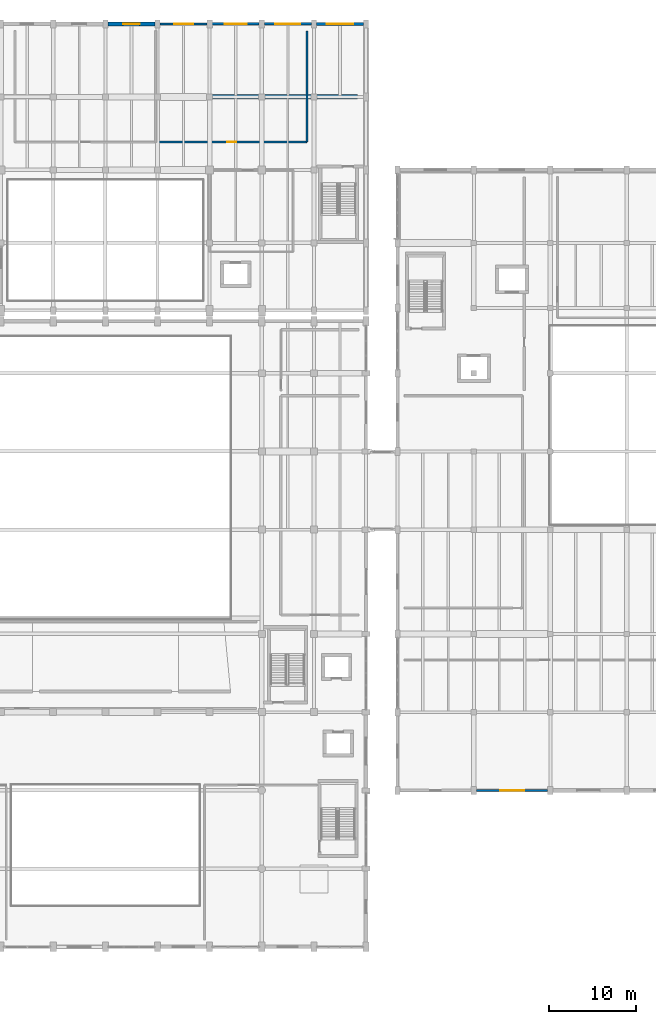
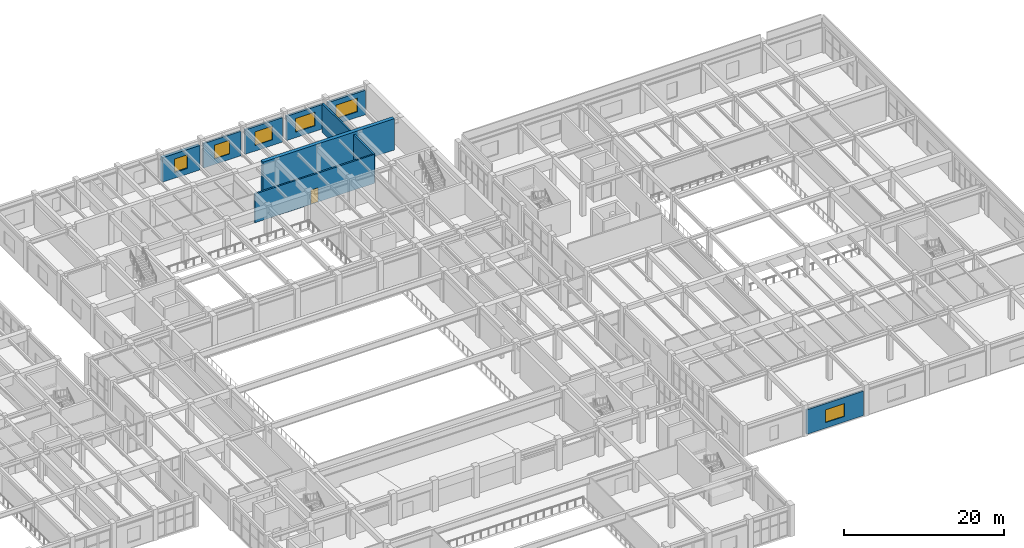
# One storey, part 74 of 96: 9 walls, 6 windows, 1 door, 7 openings.
"""IFC4 building model written with IfcOpenShell, lengths in metres."""

from ifc_helpers import new_model, si_unit, direction, frame, frame_2d, origin, place, context, subcontext, project, spatial, rectangle, extrude, material, layer, layer_set, type_object, element, fill, save


model = new_model("IFC4")

# Units and contexts
model_context = context("Model", 3, precision=1e-05, world=origin(), true_north=direction((0.0, 1.0)))
body_context = subcontext(model_context, "Body", "Model", "MODEL_VIEW")
ifc_project = project(units=[si_unit("LENGTHUNIT", "METRE"), si_unit("AREAUNIT", "SQUARE_METRE"), si_unit("VOLUMEUNIT", "CUBIC_METRE"), si_unit("PLANEANGLEUNIT", "RADIAN"), si_unit("MASSUNIT", "GRAM", prefix="KILO")], contexts=[model_context])

# Site, building, storey
site_placement = place(None, origin())
site = spatial("IfcSite", under=ifc_project, at=site_placement, CompositionType="ELEMENT")
building_placement = place(site_placement, origin())
building = spatial("IfcBuilding", under=site, at=building_placement, Name="Vaelkrest Opera House", CompositionType="ELEMENT")
storey_placement = place(building_placement, frame((0.0, 0.0, 5.39990234375)))
storey = spatial("IfcBuildingStorey", under=building, at=storey_placement, Name="L01", CompositionType="ELEMENT", Elevation=5.39990234375)

# Wall, opening, window
ifc_material_1 = material(Name="Douglas fir glulam GL28h", Category="wood")
ifc_layer_1 = layer(ifc_material_1, 0.2548828125)
ifc_layer_set_1 = layer_set([ifc_layer_1], Name="Douglas fir glulam GL28h")
wall_type_1 = type_object("IfcWallType", Name="EW01", PredefinedType="STANDARD", material=ifc_layer_set_1)
wall_1_placement = place(storey_placement, frame((50.902099609375, -37.800048828125, 0.0), z_axis=(0.0, 0.0, 1.0), x_axis=(-1.0, 0.0, 0.0)))
wall_1 = element("IfcWall", 1, at=wall_1_placement, inside=storey, type_object=wall_type_1, Name="Exterior facade wall EW-V4-L01-0231", PredefinedType="STANDARD", context=body_context, shape_type="SweptSolid", body=[
    extrude(rectangle(XDim=8.2041015625, YDim=0.2548828125, at=frame_2d((4.10205078125, 0.0))), origin(), (0.0, 0.0, 1.0), 3.7451171875),
])
opening_1_placement = place(wall_1_placement, frame((2.72705078125, 0.0, 0.85009765625)))
opening_1 = element("IfcOpeningElement", 2, at=opening_1_placement, cuts=wall_1, Name="Opening WN116", PredefinedType="OPENING", context=body_context, shape_type="SweptSolid", body=[
    extrude(rectangle(XDim=2.75, YDim=1.949951171875, at=frame_2d((1.375, 0.97509765625))), frame((0.0, 0.137451171875, 0.0), z_axis=(0.0, -1.0, 0.0), x_axis=(1.0, 0.0, 0.0)), (0.0, 0.0, 1.0), 0.27490234375),
])
ifc_material_2 = material(Name="Double low-E insulated glazing", Category="glass")
window_type_1 = type_object("IfcWindowType", Name="WT12", PartitioningType="SINGLE_PANEL", PredefinedType="WINDOW", material=ifc_material_2)
window_1_placement = place(opening_1_placement, origin())
window_1 = element("IfcWindow", 3, at=window_1_placement, inside=storey, type_object=window_type_1, Name="Facade window WN116", OverallHeight=1.949951171875, OverallWidth=2.75, PartitioningType="SINGLE_PANEL", PredefinedType="WINDOW", context=body_context, shape_type="SweptSolid", body=[
    extrude(rectangle(XDim=2.75, YDim=1.949951171875, at=frame_2d((1.375, 0.97509765625))), frame((0.0, 0.030029296875, 0.0), z_axis=(0.0, -1.0, 0.0), x_axis=(1.0, 0.0, 0.0)), (0.0, 0.0, 1.0), 0.06005859375),
])
fill(opening_1, window_1)

wall_2_placement = place(storey_placement, frame((6.298095703125, 50.39990234375, 0.0), z_axis=(0.0, 0.0, 1.0), x_axis=(1.0, 0.0, 0.0)))
wall_2 = element("IfcWall", 4, at=wall_2_placement, inside=storey, type_object=wall_type_1, Name="Exterior facade wall EW-V2-L01-0351", PredefinedType="STANDARD", context=body_context, shape_type="SweptSolid", body=[
    extrude(rectangle(XDim=5.40380859375, YDim=0.2548828125, at=frame_2d((2.701904296875, 0.0))), origin(), (0.0, 0.0, 1.0), 3.739990234375),
])
opening_2_placement = place(wall_2_placement, frame((1.60205078125, 0.0, 0.85009765625)))
opening_2 = element("IfcOpeningElement", 5, at=opening_2_placement, cuts=wall_2, Name="Opening WN225", PredefinedType="OPENING", context=body_context, shape_type="SweptSolid", body=[
    extrude(rectangle(XDim=2.199951171875, YDim=2.10009765625, at=frame_2d((1.10009765625, 1.050048828125))), frame((0.0, 0.137451171875, 0.0), z_axis=(0.0, -1.0, 0.0), x_axis=(1.0, 0.0, 0.0)), (0.0, 0.0, 1.0), 0.27490234375),
])
window_type_2 = type_object("IfcWindowType", Name="WT17", PartitioningType="SINGLE_PANEL", PredefinedType="WINDOW", material=ifc_material_2)
window_2_placement = place(opening_2_placement, origin())
window_2 = element("IfcWindow", 6, at=window_2_placement, inside=storey, type_object=window_type_2, Name="Facade window WN225", OverallHeight=2.10009765625, OverallWidth=2.199951171875, PartitioningType="SINGLE_PANEL", PredefinedType="WINDOW", context=body_context, shape_type="SweptSolid", body=[
    extrude(rectangle(XDim=2.199951171875, YDim=2.10009765625, at=frame_2d((1.10009765625, 1.050048828125))), frame((0.0, 0.030029296875, 0.0), z_axis=(0.0, -1.0, 0.0), x_axis=(1.0, 0.0, 0.0)), (0.0, 0.0, 1.0), 0.06005859375),
])
fill(opening_2, window_2)

ifc_layer_2 = layer(ifc_material_1, 0.27490234375)
ifc_layer_set_2 = layer_set([ifc_layer_2], Name="Douglas fir glulam GL28h")
wall_type_2 = type_object("IfcWallType", Name="EW02", PredefinedType="STANDARD", material=ifc_layer_set_2)
wall_3_placement = place(storey_placement, frame((12.298095703125, 50.39990234375, 0.0), z_axis=(0.0, 0.0, 1.0), x_axis=(1.0, 0.0, 0.0)))
wall_3 = element("IfcWall", 7, at=wall_3_placement, inside=storey, type_object=wall_type_2, Name="Exterior facade wall EW-V2-L01-0352", PredefinedType="STANDARD", context=body_context, shape_type="SweptSolid", body=[
    extrude(rectangle(XDim=5.40380859375, YDim=0.27490234375, at=frame_2d((2.701904296875, 0.0))), origin(), (0.0, 0.0, 1.0), 3.739990234375),
])
opening_3_placement = place(wall_3_placement, frame((1.451904296875, 0.0, 0.85009765625)))
opening_3 = element("IfcOpeningElement", 8, at=opening_3_placement, cuts=wall_3, Name="Opening WN226", PredefinedType="OPENING", context=body_context, shape_type="SweptSolid", body=[
    extrude(rectangle(XDim=2.5, YDim=2.10009765625, at=frame_2d((1.25, 1.050048828125))), frame((0.0, 0.1474609375, 0.0), z_axis=(0.0, -1.0, 0.0), x_axis=(1.0, 0.0, 0.0)), (0.0, 0.0, 1.0), 0.294921875),
])
window_type_3 = type_object("IfcWindowType", Name="WT18", PartitioningType="SINGLE_PANEL", PredefinedType="WINDOW", material=ifc_material_2)
window_3_placement = place(opening_3_placement, origin())
window_3 = element("IfcWindow", 9, at=window_3_placement, inside=storey, type_object=window_type_3, Name="Facade window WN226", OverallHeight=2.10009765625, OverallWidth=2.5, PartitioningType="SINGLE_PANEL", PredefinedType="WINDOW", context=body_context, shape_type="SweptSolid", body=[
    extrude(rectangle(XDim=2.5, YDim=2.10009765625, at=frame_2d((1.25, 1.050048828125))), frame((0.0, 0.030029296875, 0.0), z_axis=(0.0, -1.0, 0.0), x_axis=(1.0, 0.0, 0.0)), (0.0, 0.0, 1.0), 0.06005859375),
])
fill(opening_3, window_3)

ifc_layer_3 = layer(ifc_material_1, 0.294921875)
ifc_layer_set_3 = layer_set([ifc_layer_3], Name="Douglas fir glulam GL28h")
wall_type_3 = type_object("IfcWallType", Name="EW03", PredefinedType="STANDARD", material=ifc_layer_set_3)
wall_4_placement = place(storey_placement, frame((18.298095703125, 50.39990234375, 0.0), z_axis=(0.0, 0.0, 1.0), x_axis=(1.0, 0.0, 0.0)))
wall_4 = element("IfcWall", 10, at=wall_4_placement, inside=storey, type_object=wall_type_3, Name="Exterior facade wall EW-V2-L01-0353", PredefinedType="STANDARD", context=body_context, shape_type="SweptSolid", body=[
    extrude(rectangle(XDim=5.40380859375, YDim=0.294921875, at=frame_2d((2.701904296875, 0.0))), origin(), (0.0, 0.0, 1.0), 3.739990234375),
])
opening_4_placement = place(wall_4_placement, frame((1.277099609375, 0.0, 0.85009765625)))
opening_4 = element("IfcOpeningElement", 11, at=opening_4_placement, cuts=wall_4, Name="Opening WN227", PredefinedType="OPENING", context=body_context, shape_type="SweptSolid", body=[
    extrude(rectangle(XDim=2.85009765625, YDim=2.10009765625, at=frame_2d((1.425048828125, 1.050048828125))), frame((0.0, 0.157470703125, 0.0), z_axis=(0.0, -1.0, 0.0), x_axis=(1.0, 0.0, 0.0)), (0.0, 0.0, 1.0), 0.31494140625),
])
window_type_4 = type_object("IfcWindowType", Name="WT19", PartitioningType="SINGLE_PANEL", PredefinedType="WINDOW", material=ifc_material_2)
window_4_placement = place(opening_4_placement, origin())
window_4 = element("IfcWindow", 12, at=window_4_placement, inside=storey, type_object=window_type_4, Name="Facade window WN227", OverallHeight=2.10009765625, OverallWidth=2.85009765625, PartitioningType="SINGLE_PANEL", PredefinedType="WINDOW", context=body_context, shape_type="SweptSolid", body=[
    extrude(rectangle(XDim=2.85009765625, YDim=2.10009765625, at=frame_2d((1.425048828125, 1.050048828125))), frame((0.0, 0.030029296875, 0.0), z_axis=(0.0, -1.0, 0.0), x_axis=(1.0, 0.0, 0.0)), (0.0, 0.0, 1.0), 0.06005859375),
])
fill(opening_4, window_4)

ifc_material_3 = material(Name="American black walnut acoustic timber", Category="wood")
ifc_layer_4 = layer(ifc_material_3, 0.31494140625)
ifc_layer_set_4 = layer_set([ifc_layer_4], Name="American black walnut acoustic timber")
wall_type_4 = type_object("IfcWallType", Name="EW04", PredefinedType="STANDARD", material=ifc_layer_set_4)
wall_5_placement = place(storey_placement, frame((24.298095703125, 50.39990234375, 0.0), z_axis=(0.0, 0.0, 1.0), x_axis=(1.0, 0.0, 0.0)))
wall_5 = element("IfcWall", 13, at=wall_5_placement, inside=storey, type_object=wall_type_4, Name="Exterior facade wall EW-V2-L01-0354", PredefinedType="STANDARD", context=body_context, shape_type="SweptSolid", body=[
    extrude(rectangle(XDim=5.40380859375, YDim=0.31494140625, at=frame_2d((2.701904296875, 0.0))), origin(), (0.0, 0.0, 1.0), 3.739990234375),
])
opening_5_placement = place(wall_5_placement, frame((1.152099609375, 0.0, 0.85009765625)))
opening_5 = element("IfcOpeningElement", 14, at=opening_5_placement, cuts=wall_5, Name="Opening WN228", PredefinedType="OPENING", context=body_context, shape_type="SweptSolid", body=[
    extrude(rectangle(XDim=3.10009765625, YDim=2.10009765625, at=frame_2d((1.550048828125, 1.050048828125))), frame((0.0, 0.16748046875, 0.0), z_axis=(0.0, -1.0, 0.0), x_axis=(1.0, 0.0, 0.0)), (0.0, 0.0, 1.0), 0.3349609375),
])
window_type_5 = type_object("IfcWindowType", Name="WT20", PartitioningType="SINGLE_PANEL", PredefinedType="WINDOW", material=ifc_material_2)
window_5_placement = place(opening_5_placement, origin())
window_5 = element("IfcWindow", 15, at=window_5_placement, inside=storey, type_object=window_type_5, Name="Facade window WN228", OverallHeight=2.10009765625, OverallWidth=3.10009765625, PartitioningType="SINGLE_PANEL", PredefinedType="WINDOW", context=body_context, shape_type="SweptSolid", body=[
    extrude(rectangle(XDim=3.10009765625, YDim=2.10009765625, at=frame_2d((1.550048828125, 1.050048828125))), frame((0.0, 0.030029296875, 0.0), z_axis=(0.0, -1.0, 0.0), x_axis=(1.0, 0.0, 0.0)), (0.0, 0.0, 1.0), 0.06005859375),
])
fill(opening_5, window_5)

ifc_material_4 = material(Name="Concrete C40/50", Category="concrete")
ifc_layer_5 = layer(ifc_material_4, 0.465087890625)
ifc_layer_set_5 = layer_set([ifc_layer_5], Name="Concrete C40/50")
wall_type_5 = type_object("IfcWallType", Name="EW10", PredefinedType="STANDARD", material=ifc_layer_set_5)
wall_6_placement = place(storey_placement, frame((0.298095703125, 50.39990234375, 0.0), z_axis=(0.0, 0.0, 1.0), x_axis=(1.0, 0.0, 0.0)))
wall_6 = element("IfcWall", 16, at=wall_6_placement, inside=storey, type_object=wall_type_5, Name="Exterior facade wall EW-V2-L01-0350", PredefinedType="STANDARD", context=body_context, shape_type="SweptSolid", body=[
    extrude(rectangle(XDim=5.40380859375, YDim=0.465087890625, at=frame_2d((2.701904296875, 0.0))), origin(), (0.0, 0.0, 1.0), 3.739990234375),
])
opening_6_placement = place(wall_6_placement, frame((1.751953125, 0.0, 0.85009765625)))
opening_6 = element("IfcOpeningElement", 17, at=opening_6_placement, cuts=wall_6, Name="Opening WN224", PredefinedType="OPENING", context=body_context, shape_type="SweptSolid", body=[
    extrude(rectangle(XDim=1.89990234375, YDim=2.10009765625, at=frame_2d((0.949951171875, 1.050048828125))), frame((0.0, 0.242431640625, 0.0), z_axis=(0.0, -1.0, 0.0), x_axis=(1.0, 0.0, 0.0)), (0.0, 0.0, 1.0), 0.485107421875),
])
window_type_6 = type_object("IfcWindowType", Name="WT16", PartitioningType="SINGLE_PANEL", PredefinedType="WINDOW", material=ifc_material_2)
window_6_placement = place(opening_6_placement, origin())
window_6 = element("IfcWindow", 18, at=window_6_placement, inside=storey, type_object=window_type_6, Name="Facade window WN224", OverallHeight=2.10009765625, OverallWidth=1.89990234375, PartitioningType="SINGLE_PANEL", PredefinedType="WINDOW", context=body_context, shape_type="SweptSolid", body=[
    extrude(rectangle(XDim=1.89990234375, YDim=2.10009765625, at=frame_2d((0.949951171875, 1.050048828125))), frame((0.0, 0.030029296875, 0.0), z_axis=(0.0, -1.0, 0.0), x_axis=(1.0, 0.0, 0.0)), (0.0, 0.0, 1.0), 0.06005859375),
])
fill(opening_6, window_6)

# Wall, opening, door
ifc_layer_6 = layer(ifc_material_4, 0.239990234375)
ifc_layer_set_6 = layer_set([ifc_layer_6], Name="Concrete C40/50")
wall_type_6 = type_object("IfcWallType", Name="PT09", PredefinedType="PARTITIONING", material=ifc_layer_set_6)
wall_7_placement = place(storey_placement, frame((5.8798828125, 36.800048828125, 0.0), z_axis=(0.0, 0.0, 1.0), x_axis=(1.0, 0.0, 0.0)))
wall_7 = element("IfcWall", 19, at=wall_7_placement, inside=storey, type_object=wall_type_6, Name="Interior partition PT-V2-L01-0191", PredefinedType="PARTITIONING", context=body_context, shape_type="SweptSolid", body=[
    extrude(rectangle(XDim=17.320068359375, YDim=0.239990234375, at=frame_2d((8.66015625, 0.0))), origin(), (0.0, 0.0, 1.0), 4.420166015625),
])
opening_7_placement = place(wall_7_placement, frame((8.139892578125, 0.0, 0.0)))
opening_7 = element("IfcOpeningElement", 20, at=opening_7_placement, cuts=wall_7, Name="Opening D073", PredefinedType="OPENING", context=body_context, shape_type="SweptSolid", body=[
    extrude(rectangle(XDim=1.0400390625, YDim=2.199951171875, at=frame_2d((0.52001953125, 1.10009765625))), frame((0.0, 0.1298828125, 0.0), z_axis=(0.0, -1.0, 0.0), x_axis=(1.0, 0.0, 0.0)), (0.0, 0.0, 1.0), 0.260009765625),
])
door_type = type_object("IfcDoorType", Name="DT22", OperationType="NOTDEFINED", PredefinedType="DOOR", material=ifc_material_3)
door_placement = place(opening_7_placement, origin())
door = element("IfcDoor", 21, at=door_placement, inside=storey, type_object=door_type, Name="Interior door D073 (Prop Store)", OperationType="SINGLE_SWING_RIGHT", OverallHeight=2.199951171875, OverallWidth=1.0400390625, PredefinedType="DOOR", context=body_context, shape_type="SweptSolid", body=[
    extrude(rectangle(XDim=1.0400390625, YDim=2.199951171875, at=frame_2d((0.52001953125, 1.10009765625))), frame((0.0, 0.02490234375, 0.0), z_axis=(0.0, -1.0, 0.0), x_axis=(1.0, 0.0, 0.0)), (0.0, 0.0, 1.0), 0.050048828125),
])
fill(opening_7, door)

# Walls
ifc_layer_7 = layer(ifc_material_4, 0.260009765625)
ifc_layer_set_7 = layer_set([ifc_layer_7], Name="Concrete C40/50")
wall_type_7 = type_object("IfcWallType", Name="PT10", PredefinedType="PARTITIONING", material=ifc_layer_set_7)
wall_8_placement = place(storey_placement, frame((23.199951171875, 36.800048828125, 0.0), z_axis=(0.0, 0.0, 1.0), x_axis=(0.0, 1.0, 0.0)))
element("IfcWall", 22, at=wall_8_placement, inside=storey, type_object=wall_type_7, Name="Interior partition PT-V2-L01-0192", PredefinedType="PARTITIONING", context=body_context, shape_type="SweptSolid", body=[
    extrude(rectangle(XDim=12.800048828125, YDim=0.260009765625, at=frame_2d((6.39990234375, 0.0))), origin(), (0.0, 0.0, 1.0), 4.420166015625),
])
ifc_material_5 = material(Name="Concrete C50/60", Category="concrete")
ifc_layer_8 = layer(ifc_material_5, 0.52001953125)
ifc_layer_set_8 = layer_set([ifc_layer_8], Name="Concrete C50/60")
wall_type_8 = type_object("IfcWallType", Name="SW04", PredefinedType="SHEAR", material=ifc_layer_set_8)
wall_9_placement = place(storey_placement, frame((10.0, 42.0, 0.0), z_axis=(0.0, 0.0, 1.0), x_axis=(1.0, 0.0, 0.0)))
element("IfcWall", 23, at=wall_9_placement, inside=storey, type_object=wall_type_8, Name="Fly tower north shear wall L01 E", PredefinedType="SHEAR", context=body_context, shape_type="SweptSolid", body=[
    extrude(rectangle(XDim=19.0, YDim=0.52001953125, at=frame_2d((9.5, 0.0))), origin(), (0.0, 0.0, 1.0), 4.800048828125),
])

save(model, "model.ifc")
